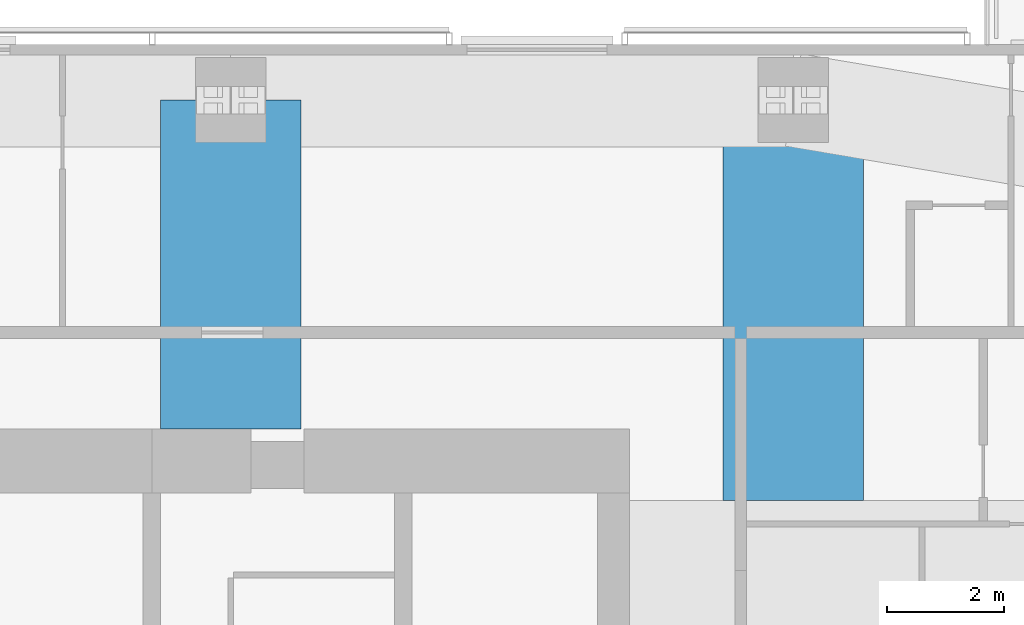
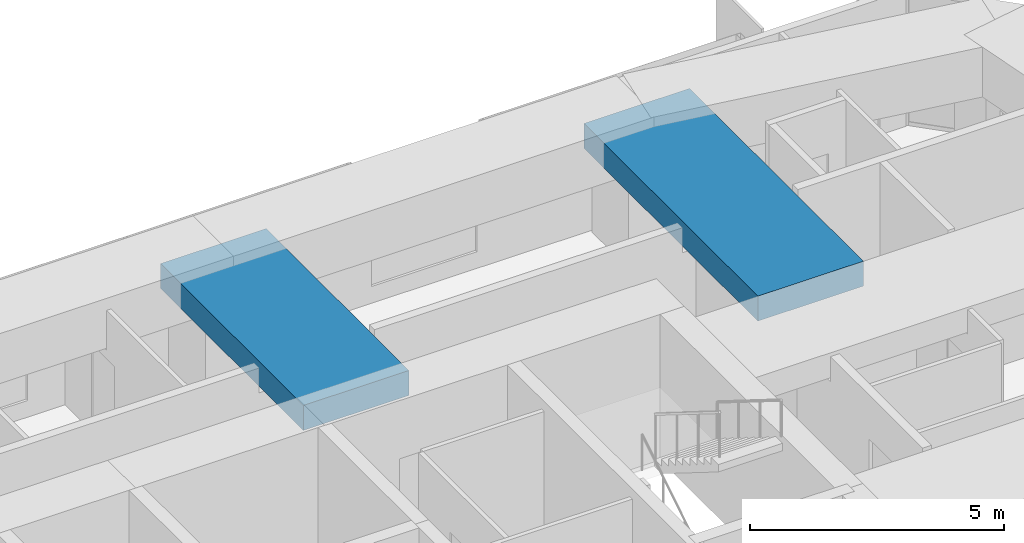
# One storey, part 7 of 20: 2 beams.
"""IFC4 building model written with IfcOpenShell, lengths in metres."""

from ifc_helpers import new_model, si_unit, direction, frame, origin, origin_2d, place, context, subcontext, project, spatial, rectangle, extrude, material, material_profile, profile_set, type_object, element, save


model = new_model("IFC4")

# Units and contexts
model_context = context("Model", 3, precision=1e-05, world=origin(), true_north=direction((0.0, 1.0)))
body_context = subcontext(model_context, "Body", "Model", "MODEL_VIEW")
ifc_project = project(units=[si_unit("LENGTHUNIT", "METRE"), si_unit("AREAUNIT", "SQUARE_METRE"), si_unit("VOLUMEUNIT", "CUBIC_METRE"), si_unit("PLANEANGLEUNIT", "RADIAN"), si_unit("MASSUNIT", "GRAM", prefix="KILO")], contexts=[model_context])

# Site, building, storey
site_placement = place(None, origin())
site = spatial("IfcSite", under=ifc_project, at=site_placement, CompositionType="ELEMENT")
building_placement = place(site_placement, origin())
building = spatial("IfcBuilding", under=site, at=building_placement, Name="Jalousie Tower", CompositionType="ELEMENT")
storey_placement = place(building_placement, frame((0.0, 0.0, 245.949951171875)))
storey = spatial("IfcBuildingStorey", under=building, at=storey_placement, Name="L67", CompositionType="ELEMENT", Elevation=245.949951171875)

# Beams
ifc_material = material(Name="Concrete f'c 40 MPa", Category="concrete")
ifc_material_profile = material_profile(ifc_material, rectangle(XDim=2.39990234375, YDim=0.60009765625, at=origin_2d()), Name="RC 2400x600")
ifc_profile_set = profile_set([ifc_material_profile], Name="Concrete f'c 40 MPa")
beam_type = type_object("IfcBeamType", Name="RC BEAM 2400x600", PredefinedType="BEAM", material=ifc_profile_set)
beam_1_placement = place(storey_placement, frame((37.25, 33.050048828125, 2.9599609375), z_axis=(0.0, -1.0, 0.0), x_axis=(1.0, 0.0, 0.0)))
element("IfcBeam", 1, at=beam_1_placement, inside=storey, type_object=beam_type, Name="Floor band beam under L68", PredefinedType="BEAM", context=body_context, shape_type="SweptSolid", body=[
    extrude(rectangle(XDim=2.39990234375, YDim=0.60009765625, at=origin_2d()), origin(), (0.0, 0.0, 1.0), 5.625),
])
beam_2_placement = place(storey_placement, frame((46.875, 33.050048828125, 2.9599609375), z_axis=(0.0, -1.0, 0.0), x_axis=(1.0, 0.0, 0.0)))
element("IfcBeam", 2, at=beam_2_placement, inside=storey, type_object=beam_type, Name="Floor band beam under L68", PredefinedType="BEAM", context=body_context, shape_type="SweptSolid", body=[
    extrude(rectangle(XDim=2.39990234375, YDim=0.60009765625, at=origin_2d()), origin(), (0.0, 0.0, 1.0), 6.85009765625),
])

save(model, "model.ifc")
